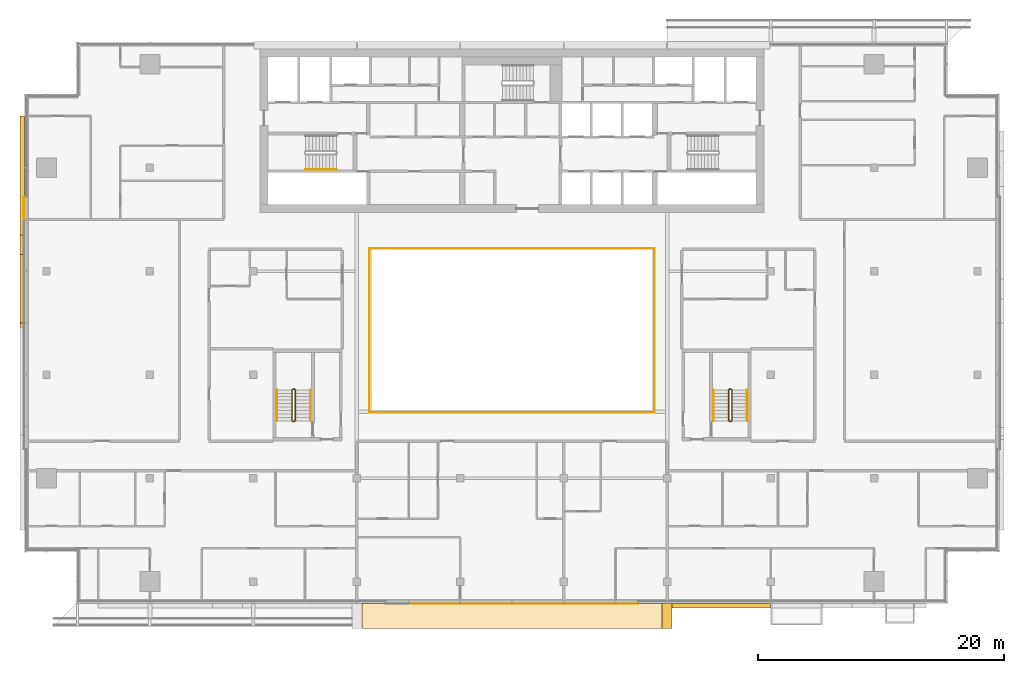
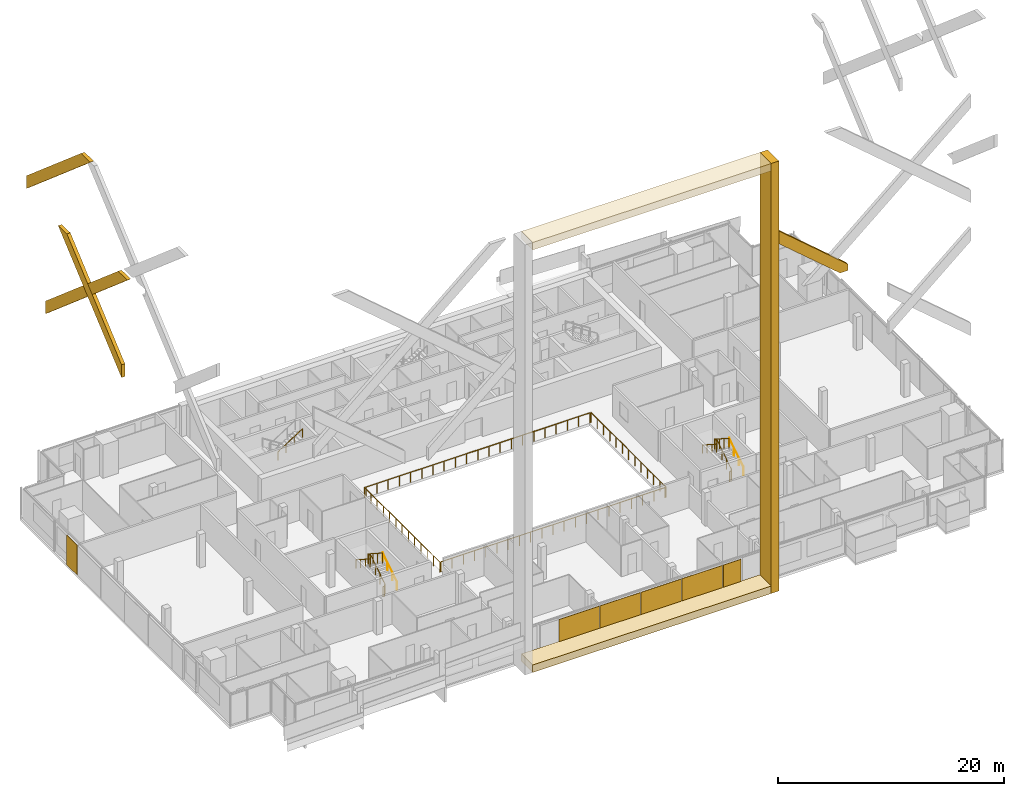
# One storey, part 28 of 31: 13 coverings, 11 railings.
"""IFC4 building model written with IfcOpenShell, lengths in metres."""

import ifcopenshell
import ifcopenshell.guid

model = None  # the IFC model being written
_history = None  # IfcOwnerHistory: only IFC2X3 demands one
_inside = {}  # id of a spatial element -> (the spatial element, [elements in it])
_under = {}  # id of a project, library or spatial element -> (it, [spatial elements below it])
_declared = {}  # id of a project -> (the project, [libraries it declares])
_typed = {}  # id of a type object -> (the type object, [elements of that type])
_made_of = {}  # id of a material, layer set ... -> (it, [elements and type objects made of it])


def new_model(schema):
    """Start an empty IFC model of exactly this schema.

    Asked for "IFC4X3", IfcOpenShell would pick the latest addendum, in which some entities
    have other attributes; the version numbers below select the first issue.
    IFC2X3 requires an IfcOwnerHistory on every rooted entity: one is made here for all.
    """
    global model, _history
    if schema == "IFC4X3":
        model = ifcopenshell.file(schema_version=(4, 3, 0, 0))
    else:
        model = ifcopenshell.file(schema=schema)
    _inside.clear()
    _under.clear()
    _declared.clear()
    _typed.clear()
    _made_of.clear()
    _history = None
    if model.schema == "IFC2X3":
        org = make("IfcOrganization", Name="unknown")
        user = make(
            "IfcPersonAndOrganization",
            ThePerson=make("IfcPerson", FamilyName="unknown"),
            TheOrganization=org,
        )
        app = make(
            "IfcApplication",
            ApplicationDeveloper=org,
            Version="unknown",
            ApplicationFullName="unknown",
            ApplicationIdentifier="unknown",
        )
        _history = make(
            "IfcOwnerHistory",
            OwningUser=user,
            OwningApplication=app,
            ChangeAction="ADDED",
            CreationDate=0,
        )
    return model


def make(cls, **values):
    """One entity of the class cls with the attributes given. An attribute that is None is left unset."""
    return model.create_entity(
        cls, **{name: value for name, value in values.items() if value is not None}
    )


def rooted(cls, **values):
    """An entity with a GlobalId (a new one), such as an element, a storey or a relation."""
    return make(cls, GlobalId=ifcopenshell.guid.new(), OwnerHistory=_history, **values)


def si_unit(unit_type, name, prefix=None):
    """IfcSIUnit, for example si_unit("LENGTHUNIT", "METRE", prefix="MILLI")."""
    return make("IfcSIUnit", UnitType=unit_type, Prefix=prefix, Name=name)


def assignment(units):
    """IfcUnitAssignment: the units of a project."""
    return None if units is None else make("IfcUnitAssignment", Units=units)


def point(xyz):
    """IfcCartesianPoint."""
    return None if xyz is None else make("IfcCartesianPoint", Coordinates=xyz)


def direction(xyz):
    """IfcDirection."""
    return None if xyz is None else make("IfcDirection", DirectionRatios=xyz)


def frame(location, z_axis=None, x_axis=None):
    """IfcAxis2Placement3D, a coordinate frame: its origin and axes. An axis left out is left unset."""
    return make(
        "IfcAxis2Placement3D",
        Location=point(location),
        Axis=direction(z_axis),
        RefDirection=direction(x_axis),
    )


def frame_2d(location, x_axis=None):
    """IfcAxis2Placement2D, a coordinate frame in the plane: its origin and x axis."""
    return make(
        "IfcAxis2Placement2D", Location=point(location), RefDirection=direction(x_axis)
    )


def origin():
    """The frame at (0, 0, 0) with its axes left unset."""
    return frame((0.0, 0.0, 0.0))


def origin_2d():
    """The frame at (0, 0) in the plane with its x axis left unset."""
    return frame_2d((0.0, 0.0))


def place(relative_to, where):
    """IfcLocalPlacement: puts the frame where relative to a parent placement (None: the world)."""
    return make(
        "IfcLocalPlacement", PlacementRelTo=relative_to, RelativePlacement=where
    )


def context(
    kind, dimensions, precision=None, world=None, true_north=None, identifier=None
):
    """IfcGeometricRepresentationContext, for example the 3D "Model" context."""
    return make(
        "IfcGeometricRepresentationContext",
        ContextIdentifier=identifier,
        ContextType=kind,
        CoordinateSpaceDimension=dimensions,
        Precision=precision,
        WorldCoordinateSystem=world,
        TrueNorth=true_north,
    )


def subcontext(parent, identifier, kind, view, scale=None):
    """IfcGeometricRepresentationSubContext, for example "Body" below "Model"."""
    return make(
        "IfcGeometricRepresentationSubContext",
        ContextIdentifier=identifier,
        ContextType=kind,
        ParentContext=parent,
        TargetScale=scale,
        TargetView=view,
    )


def project(units=None, contexts=None):
    """IfcProject with its units and contexts."""
    return rooted(
        "IfcProject",
        Name="project",
        RepresentationContexts=contexts,
        UnitsInContext=assignment(units),
    )


def spatial(cls, under=None, at=None, **own):
    """A site, building, storey or space (cls), placed at a placement, below another one or the project."""
    s = rooted(cls, ObjectPlacement=at, **own)
    if under is not None:
        _under.setdefault(under.id(), (under, []))[1].append(s)
    return s


def polyline(points):
    """IfcPolyline through the points."""
    return make("IfcPolyline", Points=[point(p) for p in points])


def profile(cls, at=None, kind="AREA", **sizes):
    """A parametric profile (cls). Its sizes go by their IFC names, for example OverallWidth=200.0."""
    return make(cls, ProfileType=kind, Position=at, **sizes)


def circle(**sizes):
    """IfcCircleProfileDef."""
    return profile("IfcCircleProfileDef", **sizes)


def outline(outer, holes=None, kind="AREA"):
    """IfcArbitraryClosedProfileDef: a profile drawn as a closed curve; with holes, ...WithVoids."""
    if holes is None:
        return make("IfcArbitraryClosedProfileDef", ProfileType=kind, OuterCurve=outer)
    return make(
        "IfcArbitraryProfileDefWithVoids",
        ProfileType=kind,
        OuterCurve=outer,
        InnerCurves=holes,
    )


def extrude(swept, where, along, depth):
    """IfcExtrudedAreaSolid: the profile swept, set in the frame where, extruded along a direction by depth."""
    return make(
        "IfcExtrudedAreaSolid",
        SweptArea=swept,
        Position=where,
        ExtrudedDirection=direction(along),
        Depth=depth,
    )


def shape(context_of_items, identifier, shape_type, items):
    """IfcShapeRepresentation: the items that make up one representation, for example the "Body"."""
    return make(
        "IfcShapeRepresentation",
        ContextOfItems=context_of_items,
        RepresentationIdentifier=identifier,
        RepresentationType=shape_type,
        Items=items,
    )


def material(Name=None, Category=None):
    """IfcMaterial."""
    return make("IfcMaterial", Name=Name, Category=Category)


def layer(
    of_material, thickness, ventilated=None, Name=None, Category=None, Priority=None
):
    """IfcMaterialLayer: one layer of a wall or slab, of a material (None: an air gap)."""
    return make(
        "IfcMaterialLayer",
        Material=of_material,
        LayerThickness=thickness,
        IsVentilated=ventilated,
        Name=Name,
        Category=Category,
        Priority=Priority,
    )


def layer_set(layers, Name=None):
    """IfcMaterialLayerSet."""
    return make("IfcMaterialLayerSet", MaterialLayers=layers, LayerSetName=Name)


def made_of(thing, what):
    """Note that an element or type object is made of a material, layer set ...; save() writes the relation."""
    if what is not None:
        _made_of.setdefault(what.id(), (what, []))[1].append(thing)
    return thing


def type_object(cls, material=None, **own):
    """A type object (cls), such as IfcWallType, which elements share."""
    return made_of(rooted(cls, **own), material)


def element(
    cls,
    number,
    at=None,
    inside=None,
    cuts=None,
    type_object=None,
    material=None,
    context=None,
    identifier="Body",
    shape_type=None,
    held_by="IfcProductDefinitionShape",
    body=None,
    shapes=None,
    **own,
):
    """One element of the class cls, such as IfcWall. Its Tag is "e" and its number.

    at: its placement. inside: the storey or other place that contains it. cuts: it is an
    opening in that element (IfcRelVoidsElement). A single representation is given by context,
    identifier, shape_type and body (its items); several are given by shapes. held_by: the class
    of the entity that holds the representations. save() writes the other relations.
    """
    e = rooted(cls, Tag="e%d" % number, ObjectPlacement=at, **own)
    if body is not None:
        shapes = [shape(context, identifier, shape_type, body)]
    if shapes is not None:
        e.Representation = make(held_by, Representations=shapes)
    if inside is not None:
        _inside.setdefault(inside.id(), (inside, []))[1].append(e)
    if cuts is not None:
        rooted(
            "IfcRelVoidsElement", RelatingBuildingElement=cuts, RelatedOpeningElement=e
        )
    if type_object is not None:
        _typed.setdefault(type_object.id(), (type_object, []))[1].append(e)
    return made_of(e, material)


def aggregate(whole, parts):
    """IfcRelAggregates: a whole, such as a stair, and the parts it consists of."""
    return rooted("IfcRelAggregates", RelatingObject=whole, RelatedObjects=parts)


def save(model, path):
    """Write the relations noted so far, then the file.

    IfcRelAggregates (storeys below a building ...), IfcRelContainedInSpatialStructure (elements
    in a storey), IfcRelDefinesByType, IfcRelAssociatesMaterial and IfcRelDeclares: one each for
    every whole, place, type object, material and project.
    """
    for whole, parts in _under.values():
        aggregate(whole, parts)
    for where, things in _inside.values():
        rooted(
            "IfcRelContainedInSpatialStructure",
            RelatedElements=things,
            RelatingStructure=where,
        )
    for kind, things in _typed.values():
        rooted("IfcRelDefinesByType", RelatedObjects=things, RelatingType=kind)
    for what, things in _made_of.values():
        rooted("IfcRelAssociatesMaterial", RelatedObjects=things, RelatingMaterial=what)
    for by, libraries in _declared.values():
        rooted("IfcRelDeclares", RelatingContext=by, RelatedDefinitions=libraries)
    model.write(path)


model = new_model("IFC4")

# Units and contexts
model_context = context("Model", 3, precision=1e-05, world=origin(), true_north=direction((0.0, 1.0)))
body_context = subcontext(model_context, "Body", "Model", "MODEL_VIEW")
ifc_project = project(units=[si_unit("LENGTHUNIT", "METRE"), si_unit("AREAUNIT", "SQUARE_METRE"), si_unit("VOLUMEUNIT", "CUBIC_METRE"), si_unit("PLANEANGLEUNIT", "RADIAN"), si_unit("MASSUNIT", "GRAM", prefix="KILO")], contexts=[model_context])

# Site, building, storey
site_placement = place(None, origin())
site = spatial("IfcSite", under=ifc_project, at=site_placement, CompositionType="ELEMENT")
building_placement = place(site_placement, origin())
building = spatial("IfcBuilding", under=site, at=building_placement, Name="Saffron Gate Tower", CompositionType="ELEMENT")
storey_placement = place(building_placement, frame((0.0, 0.0, 205.5)))
storey = spatial("IfcBuildingStorey", under=building, at=storey_placement, Name="L49", CompositionType="ELEMENT", Elevation=205.5)

# Railings
ifc_material_1 = material(Name="Stainless steel and laminated glass", Category="steel")
railing_type_1 = type_object("IfcRailingType", Name="AG1 Atrium edge guard 1100", PredefinedType="GUARDRAIL", material=ifc_material_1)
railing_1_placement = place(storey_placement, frame((76.02001953125, 45.5400390625, 0.0)))
element("IfcRailing", 1, at=railing_1_placement, inside=storey, type_object=railing_type_1, Name="Guard D1-1", PredefinedType="GUARDRAIL", context=body_context, shape_type="SweptSolid", body=[
    extrude(circle(Radius=0.02392578125, at=origin_2d()), frame((0.0, 0.0, 1.076171875), z_axis=(0.0, 1.0, 0.0), x_axis=(-1.0, 0.0, 0.0)), (0.0, 0.0, 1.0), 13.320068359375),
    extrude(circle(Radius=0.02099609375, at=origin_2d()), origin(), (0.0, 0.0, 1.0), 1.052001953125),
    extrude(circle(Radius=0.02099609375, at=origin_2d()), frame((0.0, 1.110107421875, 0.0)), (0.0, 0.0, 1.0), 1.052001953125),
    extrude(circle(Radius=0.02099609375, at=origin_2d()), frame((0.0, 2.219970703125, 0.0)), (0.0, 0.0, 1.0), 1.052001953125),
    extrude(circle(Radius=0.02099609375, at=origin_2d()), frame((0.0, 3.330078125, 0.0)), (0.0, 0.0, 1.0), 1.052001953125),
    extrude(circle(Radius=0.02099609375, at=origin_2d()), frame((0.0, 4.43994140625, 0.0)), (0.0, 0.0, 1.0), 1.052001953125),
    extrude(circle(Radius=0.02099609375, at=origin_2d()), frame((0.0, 5.550048828125, 0.0)), (0.0, 0.0, 1.0), 1.052001953125),
    extrude(circle(Radius=0.02099609375, at=origin_2d()), frame((0.0, 6.66015625, 0.0)), (0.0, 0.0, 1.0), 1.052001953125),
    extrude(circle(Radius=0.02099609375, at=origin_2d()), frame((0.0, 7.77001953125, 0.0)), (0.0, 0.0, 1.0), 1.052001953125),
    extrude(circle(Radius=0.02099609375, at=origin_2d()), frame((0.0, 8.880126953125, 0.0)), (0.0, 0.0, 1.0), 1.052001953125),
    extrude(circle(Radius=0.02099609375, at=origin_2d()), frame((0.0, 9.989990234375, 0.0)), (0.0, 0.0, 1.0), 1.052001953125),
    extrude(circle(Radius=0.02099609375, at=origin_2d()), frame((0.0, 11.10009765625, 0.0)), (0.0, 0.0, 1.0), 1.052001953125),
    extrude(circle(Radius=0.02099609375, at=origin_2d()), frame((0.0, 12.2099609375, 0.0)), (0.0, 0.0, 1.0), 1.052001953125),
    extrude(circle(Radius=0.02099609375, at=origin_2d()), frame((0.0, 13.320068359375, 0.0)), (0.0, 0.0, 1.0), 1.052001953125),
])
railing_2_placement = place(storey_placement, frame((76.139892578125, 58.860107421875, 0.0)))
element("IfcRailing", 2, at=railing_2_placement, inside=storey, type_object=railing_type_1, Name="Guard D1-2", PredefinedType="GUARDRAIL", context=body_context, shape_type="SweptSolid", body=[
    extrude(circle(Radius=0.02392578125, at=origin_2d()), frame((0.0, 0.0, 1.076171875), z_axis=(1.0, 0.0, 0.0), x_axis=(0.0, 1.0, 0.0)), (0.0, 0.0, 1.0), 22.920166015625),
    extrude(circle(Radius=0.02099609375, at=origin_2d()), origin(), (0.0, 0.0, 1.0), 1.052001953125),
    extrude(circle(Radius=0.02099609375, at=origin_2d()), frame((1.14599609375, 0.0, 0.0)), (0.0, 0.0, 1.0), 1.052001953125),
    extrude(circle(Radius=0.02099609375, at=origin_2d()), frame((2.2919921875, 0.0, 0.0)), (0.0, 0.0, 1.0), 1.052001953125),
    extrude(circle(Radius=0.02099609375, at=origin_2d()), frame((3.43798828125, 0.0, 0.0)), (0.0, 0.0, 1.0), 1.052001953125),
    extrude(circle(Radius=0.02099609375, at=origin_2d()), frame((4.583984375, 0.0, 0.0)), (0.0, 0.0, 1.0), 1.052001953125),
    extrude(circle(Radius=0.02099609375, at=origin_2d()), frame((5.72998046875, 0.0, 0.0)), (0.0, 0.0, 1.0), 1.052001953125),
    extrude(circle(Radius=0.02099609375, at=origin_2d()), frame((6.8759765625, 0.0, 0.0)), (0.0, 0.0, 1.0), 1.052001953125),
    extrude(circle(Radius=0.02099609375, at=origin_2d()), frame((8.02197265625, 0.0, 0.0)), (0.0, 0.0, 1.0), 1.052001953125),
    extrude(circle(Radius=0.02099609375, at=origin_2d()), frame((9.16796875, 0.0, 0.0)), (0.0, 0.0, 1.0), 1.052001953125),
    extrude(circle(Radius=0.02099609375, at=origin_2d()), frame((10.31396484375, 0.0, 0.0)), (0.0, 0.0, 1.0), 1.052001953125),
    extrude(circle(Radius=0.02099609375, at=origin_2d()), frame((11.4599609375, 0.0, 0.0)), (0.0, 0.0, 1.0), 1.052001953125),
    extrude(circle(Radius=0.02099609375, at=origin_2d()), frame((12.606201171875, 0.0, 0.0)), (0.0, 0.0, 1.0), 1.052001953125),
    extrude(circle(Radius=0.02099609375, at=origin_2d()), frame((13.752197265625, 0.0, 0.0)), (0.0, 0.0, 1.0), 1.052001953125),
    extrude(circle(Radius=0.02099609375, at=origin_2d()), frame((14.898193359375, 0.0, 0.0)), (0.0, 0.0, 1.0), 1.052001953125),
    extrude(circle(Radius=0.02099609375, at=origin_2d()), frame((16.044189453125, 0.0, 0.0)), (0.0, 0.0, 1.0), 1.052001953125),
    extrude(circle(Radius=0.02099609375, at=origin_2d()), frame((17.190185546875, 0.0, 0.0)), (0.0, 0.0, 1.0), 1.052001953125),
    extrude(circle(Radius=0.02099609375, at=origin_2d()), frame((18.336181640625, 0.0, 0.0)), (0.0, 0.0, 1.0), 1.052001953125),
    extrude(circle(Radius=0.02099609375, at=origin_2d()), frame((19.482177734375, 0.0, 0.0)), (0.0, 0.0, 1.0), 1.052001953125),
    extrude(circle(Radius=0.02099609375, at=origin_2d()), frame((20.628173828125, 0.0, 0.0)), (0.0, 0.0, 1.0), 1.052001953125),
    extrude(circle(Radius=0.02099609375, at=origin_2d()), frame((21.774169921875, 0.0, 0.0)), (0.0, 0.0, 1.0), 1.052001953125),
    extrude(circle(Radius=0.02099609375, at=origin_2d()), frame((22.920166015625, 0.0, 0.0)), (0.0, 0.0, 1.0), 1.052001953125),
])
railing_3_placement = place(storey_placement, frame((99.179931640625, 58.860107421875, 0.0)))
element("IfcRailing", 3, at=railing_3_placement, inside=storey, type_object=railing_type_1, Name="Guard D1-3", PredefinedType="GUARDRAIL", context=body_context, shape_type="SweptSolid", body=[
    extrude(circle(Radius=0.02392578125, at=origin_2d()), frame((0.0, 0.0, 1.076171875), z_axis=(0.0, -1.0, 0.0), x_axis=(1.0, 0.0, 0.0)), (0.0, 0.0, 1.0), 13.320068359375),
    extrude(circle(Radius=0.02099609375, at=origin_2d()), origin(), (0.0, 0.0, 1.0), 1.052001953125),
    extrude(circle(Radius=0.02099609375, at=origin_2d()), frame((0.0, -1.110107421875, 0.0)), (0.0, 0.0, 1.0), 1.052001953125),
    extrude(circle(Radius=0.02099609375, at=origin_2d()), frame((0.0, -2.219970703125, 0.0)), (0.0, 0.0, 1.0), 1.052001953125),
    extrude(circle(Radius=0.02099609375, at=origin_2d()), frame((0.0, -3.330078125, 0.0)), (0.0, 0.0, 1.0), 1.052001953125),
    extrude(circle(Radius=0.02099609375, at=origin_2d()), frame((0.0, -4.43994140625, 0.0)), (0.0, 0.0, 1.0), 1.052001953125),
    extrude(circle(Radius=0.02099609375, at=origin_2d()), frame((0.0, -5.550048828125, 0.0)), (0.0, 0.0, 1.0), 1.052001953125),
    extrude(circle(Radius=0.02099609375, at=origin_2d()), frame((0.0, -6.66015625, 0.0)), (0.0, 0.0, 1.0), 1.052001953125),
    extrude(circle(Radius=0.02099609375, at=origin_2d()), frame((0.0, -7.77001953125, 0.0)), (0.0, 0.0, 1.0), 1.052001953125),
    extrude(circle(Radius=0.02099609375, at=origin_2d()), frame((0.0, -8.880126953125, 0.0)), (0.0, 0.0, 1.0), 1.052001953125),
    extrude(circle(Radius=0.02099609375, at=origin_2d()), frame((0.0, -9.989990234375, 0.0)), (0.0, 0.0, 1.0), 1.052001953125),
    extrude(circle(Radius=0.02099609375, at=origin_2d()), frame((0.0, -11.10009765625, 0.0)), (0.0, 0.0, 1.0), 1.052001953125),
    extrude(circle(Radius=0.02099609375, at=origin_2d()), frame((0.0, -12.2099609375, 0.0)), (0.0, 0.0, 1.0), 1.052001953125),
    extrude(circle(Radius=0.02099609375, at=origin_2d()), frame((0.0, -13.320068359375, 0.0)), (0.0, 0.0, 1.0), 1.052001953125),
])
railing_4_placement = place(storey_placement, frame((99.06005859375, 45.5400390625, 0.0)))
element("IfcRailing", 4, at=railing_4_placement, inside=storey, type_object=railing_type_1, Name="Guard D1-4", PredefinedType="GUARDRAIL", context=body_context, shape_type="SweptSolid", body=[
    extrude(circle(Radius=0.02392578125, at=origin_2d()), frame((0.0, 0.0, 1.076171875), z_axis=(-1.0, 0.0, 0.0), x_axis=(0.0, -1.0, 0.0)), (0.0, 0.0, 1.0), 22.920166015625),
    extrude(circle(Radius=0.02099609375, at=origin_2d()), origin(), (0.0, 0.0, 1.0), 1.052001953125),
    extrude(circle(Radius=0.02099609375, at=origin_2d()), frame((-1.14599609375, 0.0, 0.0)), (0.0, 0.0, 1.0), 1.052001953125),
    extrude(circle(Radius=0.02099609375, at=origin_2d()), frame((-2.2919921875, 0.0, 0.0)), (0.0, 0.0, 1.0), 1.052001953125),
    extrude(circle(Radius=0.02099609375, at=origin_2d()), frame((-3.43798828125, 0.0, 0.0)), (0.0, 0.0, 1.0), 1.052001953125),
    extrude(circle(Radius=0.02099609375, at=origin_2d()), frame((-4.583984375, 0.0, 0.0)), (0.0, 0.0, 1.0), 1.052001953125),
    extrude(circle(Radius=0.02099609375, at=origin_2d()), frame((-5.72998046875, 0.0, 0.0)), (0.0, 0.0, 1.0), 1.052001953125),
    extrude(circle(Radius=0.02099609375, at=origin_2d()), frame((-6.8759765625, 0.0, 0.0)), (0.0, 0.0, 1.0), 1.052001953125),
    extrude(circle(Radius=0.02099609375, at=origin_2d()), frame((-8.02197265625, 0.0, 0.0)), (0.0, 0.0, 1.0), 1.052001953125),
    extrude(circle(Radius=0.02099609375, at=origin_2d()), frame((-9.16796875, 0.0, 0.0)), (0.0, 0.0, 1.0), 1.052001953125),
    extrude(circle(Radius=0.02099609375, at=origin_2d()), frame((-10.31396484375, 0.0, 0.0)), (0.0, 0.0, 1.0), 1.052001953125),
    extrude(circle(Radius=0.02099609375, at=origin_2d()), frame((-11.4599609375, 0.0, 0.0)), (0.0, 0.0, 1.0), 1.052001953125),
    extrude(circle(Radius=0.02099609375, at=origin_2d()), frame((-12.606201171875, 0.0, 0.0)), (0.0, 0.0, 1.0), 1.052001953125),
    extrude(circle(Radius=0.02099609375, at=origin_2d()), frame((-13.752197265625, 0.0, 0.0)), (0.0, 0.0, 1.0), 1.052001953125),
    extrude(circle(Radius=0.02099609375, at=origin_2d()), frame((-14.898193359375, 0.0, 0.0)), (0.0, 0.0, 1.0), 1.052001953125),
    extrude(circle(Radius=0.02099609375, at=origin_2d()), frame((-16.044189453125, 0.0, 0.0)), (0.0, 0.0, 1.0), 1.052001953125),
    extrude(circle(Radius=0.02099609375, at=origin_2d()), frame((-17.190185546875, 0.0, 0.0)), (0.0, 0.0, 1.0), 1.052001953125),
    extrude(circle(Radius=0.02099609375, at=origin_2d()), frame((-18.336181640625, 0.0, 0.0)), (0.0, 0.0, 1.0), 1.052001953125),
    extrude(circle(Radius=0.02099609375, at=origin_2d()), frame((-19.482177734375, 0.0, 0.0)), (0.0, 0.0, 1.0), 1.052001953125),
    extrude(circle(Radius=0.02099609375, at=origin_2d()), frame((-20.628173828125, 0.0, 0.0)), (0.0, 0.0, 1.0), 1.052001953125),
    extrude(circle(Radius=0.02099609375, at=origin_2d()), frame((-21.774169921875, 0.0, 0.0)), (0.0, 0.0, 1.0), 1.052001953125),
    extrude(circle(Radius=0.02099609375, at=origin_2d()), frame((-22.920166015625, 0.0, 0.0)), (0.0, 0.0, 1.0), 1.052001953125),
])

# Coverings
ifc_material_2 = material(Name="Ceramic-printed bronze insulated panel")
ifc_layer_1 = layer(ifc_material_2, 0.0400390625)
ifc_layer_set_1 = layer_set([ifc_layer_1], Name="CLDA ceramic-printed bay cladding 40")
covering_type_1 = type_object("IfcCoveringType", Name="CLDA ceramic-printed bay cladding 40", PredefinedType="CLADDING", material=ifc_layer_set_1)
covering_1_placement = place(storey_placement, origin())
element("IfcCovering", 5, at=covering_1_placement, inside=storey, type_object=covering_type_1, Name="CLADDING bay panel in front of the arch", PredefinedType="CLADDING", context=body_context, shape_type="SweptSolid", body=[
    extrude(outline(polyline([(79.22998046875, 29.9599609375), (83.3701171875, 29.9599609375), (83.3701171875, 30.0), (79.22998046875, 30.0), (79.22998046875, 29.9599609375)])), origin(), (0.0, 0.0, 1.0), 3.199951171875),
])
covering_2_placement = place(storey_placement, origin())
element("IfcCovering", 6, at=covering_2_placement, inside=storey, type_object=covering_type_1, Name="CLADDING bay panel in front of the arch", PredefinedType="CLADDING", context=body_context, shape_type="SweptSolid", body=[
    extrude(outline(polyline([(83.429931640625, 29.9599609375), (87.570068359375, 29.9599609375), (87.570068359375, 30.0), (83.429931640625, 30.0), (83.429931640625, 29.9599609375)])), origin(), (0.0, 0.0, 1.0), 3.199951171875),
])
covering_3_placement = place(storey_placement, origin())
element("IfcCovering", 7, at=covering_3_placement, inside=storey, type_object=covering_type_1, Name="CLADDING bay panel in front of the arch", PredefinedType="CLADDING", context=body_context, shape_type="SweptSolid", body=[
    extrude(outline(polyline([(87.6298828125, 29.9599609375), (91.77001953125, 29.9599609375), (91.77001953125, 30.0), (87.6298828125, 30.0), (87.6298828125, 29.9599609375)])), origin(), (0.0, 0.0, 1.0), 3.199951171875),
])
covering_4_placement = place(storey_placement, origin())
element("IfcCovering", 8, at=covering_4_placement, inside=storey, type_object=covering_type_1, Name="CLADDING bay panel in front of the arch", PredefinedType="CLADDING", context=body_context, shape_type="SweptSolid", body=[
    extrude(outline(polyline([(91.830078125, 29.9599609375), (95.969970703125, 29.9599609375), (95.969970703125, 30.0), (91.830078125, 30.0), (91.830078125, 29.9599609375)])), origin(), (0.0, 0.0, 1.0), 3.199951171875),
])
covering_5_placement = place(storey_placement, origin())
element("IfcCovering", 9, at=covering_5_placement, inside=storey, type_object=covering_type_1, Name="CLADDING bay panel in front of the arch", PredefinedType="CLADDING", context=body_context, shape_type="SweptSolid", body=[
    extrude(outline(polyline([(96.030029296875, 29.9599609375), (97.84912109375, 29.9599609375), (97.84912109375, 30.0), (96.030029296875, 30.0), (96.030029296875, 29.9599609375)])), origin(), (0.0, 0.0, 1.0), 3.199951171875),
])
covering_6_placement = place(storey_placement, origin())
element("IfcCovering", 10, at=covering_6_placement, inside=storey, type_object=covering_type_1, Name="CLADDING bay panel in front of the arch", PredefinedType="CLADDING", context=body_context, shape_type="SweptSolid", body=[
    extrude(outline(polyline([(47.9599609375, 63.04931640625), (47.9599609375, 61.22998046875), (48.0, 61.22998046875), (48.0, 63.04931640625), (47.9599609375, 63.04931640625)])), origin(), (0.0, 0.0, 1.0), 3.199951171875),
])

# Railings
railing_type_2 = type_object("IfcRailingType", Name="CR1 Stair guard 1100", PredefinedType="GUARDRAIL", material=ifc_material_1)
railing_5_placement = place(storey_placement, frame((69.800048828125, 44.800048828125, 0.0)))
element("IfcRailing", 11, at=railing_5_placement, inside=storey, type_object=railing_type_2, Name="L49 ST-D stair guard 1", PredefinedType="GUARDRAIL", context=body_context, shape_type="SweptSolid", body=[
    extrude(circle(Radius=0.02392578125, at=origin_2d()), frame((0.0, 0.0, 1.076171875), z_axis=(1.0, 0.0, 0.0), x_axis=(0.0, 1.0, 0.0)), (0.0, 0.0, 1.0), 0.14990234375),
    extrude(circle(Radius=0.02392578125, at=origin_2d()), frame((0.14990234375, 0.0, 1.076171875), z_axis=(0.258847668887, 0.258847668887, 0.930588936439), x_axis=(-0.707106781187, 0.707106781187, 0.0)), (0.0, 0.0, 1.0), 0.193359375),
    extrude(circle(Radius=0.02392578125, at=origin_2d()), frame((0.199951171875, 0.050048828125, 1.255859375), z_axis=(0.0, 0.841162588446, 0.540782303519), x_axis=(-1.0, 0.0, 0.0)), (0.0, 0.0, 1.0), 2.995849609375),
    extrude(circle(Radius=0.02392578125, at=origin_2d()), frame((0.199951171875, 2.570068359375, 2.8759765625), z_axis=(-0.708833529934, 0.705375805398, 0.0), x_axis=(-0.705375805398, -0.708833529934, 0.0)), (0.0, 0.0, 1.0), 0.070556640625),
    extrude(circle(Radius=0.02392578125, at=origin_2d()), frame((0.14990234375, 2.619873046875, 2.8759765625), z_axis=(-1.0, 0.0, 0.0), x_axis=(0.0, -1.0, 0.0)), (0.0, 0.0, 1.0), 0.14990234375),
    extrude(circle(Radius=0.02392578125, at=origin_2d()), frame((0.0, 2.619873046875, 2.8759765625), z_axis=(-0.258932105505, -0.257669022063, 0.930892496375), x_axis=(0.705375805398, -0.708833529934, 0.0)), (0.0, 0.0, 1.0), 0.193359375),
    extrude(circle(Radius=0.02392578125, at=origin_2d()), frame((-0.050048828125, 2.570068359375, 3.05615234375), z_axis=(0.0, -0.841162588446, 0.540782303519), x_axis=(1.0, 0.0, 0.0)), (0.0, 0.0, 1.0), 2.995849609375),
    extrude(circle(Radius=0.02099609375, at=origin_2d()), origin(), (0.0, 0.0, 1.0), 1.052001953125),
    extrude(circle(Radius=0.02099609375, at=origin_2d()), frame((0.14990234375, 0.0, 0.0)), (0.0, 0.0, 1.0), 1.052001953125),
    extrude(circle(Radius=0.02099609375, at=origin_2d()), frame((0.199951171875, 0.050048828125, 0.179931640625)), (0.0, 0.0, 1.0), 1.052001953125),
    extrude(circle(Radius=0.02099609375, at=origin_2d()), frame((0.199951171875, 0.89013671875, 0.719970703125)), (0.0, 0.0, 1.0), 1.052001953125),
    extrude(circle(Radius=0.02099609375, at=origin_2d()), frame((0.199951171875, 1.72998046875, 1.260009765625)), (0.0, 0.0, 1.0), 1.052001953125),
    extrude(circle(Radius=0.02099609375, at=origin_2d()), frame((0.199951171875, 2.570068359375, 1.800048828125)), (0.0, 0.0, 1.0), 1.052001953125),
    extrude(circle(Radius=0.02099609375, at=origin_2d()), frame((0.14990234375, 2.619873046875, 1.800048828125)), (0.0, 0.0, 1.0), 1.052001953125),
    extrude(circle(Radius=0.02099609375, at=origin_2d()), frame((0.0, 2.619873046875, 1.800048828125)), (0.0, 0.0, 1.0), 1.052001953125),
    extrude(circle(Radius=0.02099609375, at=origin_2d()), frame((-0.050048828125, 2.570068359375, 1.97998046875)), (0.0, 0.0, 1.0), 1.052001953125),
    extrude(circle(Radius=0.02099609375, at=origin_2d()), frame((-0.050048828125, 1.72998046875, 2.52001953125)), (0.0, 0.0, 1.0), 1.052001953125),
    extrude(circle(Radius=0.02099609375, at=origin_2d()), frame((-0.050048828125, 0.89013671875, 3.06005859375)), (0.0, 0.0, 1.0), 1.052001953125),
    extrude(circle(Radius=0.02099609375, at=origin_2d()), frame((-0.050048828125, 0.050048828125, 3.60009765625)), (0.0, 0.0, 1.0), 1.052001953125),
])
railing_6_placement = place(storey_placement, frame((105.25, 44.800048828125, 0.0)))
element("IfcRailing", 12, at=railing_6_placement, inside=storey, type_object=railing_type_2, Name="L49 ST-E stair guard 1", PredefinedType="GUARDRAIL", context=body_context, shape_type="SweptSolid", body=[
    extrude(circle(Radius=0.02392578125, at=origin_2d()), frame((0.0, 0.0, 1.076171875), z_axis=(1.0, 0.0, 0.0), x_axis=(0.0, 1.0, 0.0)), (0.0, 0.0, 1.0), 0.14990234375),
    extrude(circle(Radius=0.02392578125, at=origin_2d()), frame((0.14990234375, 0.0, 1.076171875), z_axis=(0.258847668887, 0.258847668887, 0.930588936439), x_axis=(-0.707106781187, 0.707106781187, 0.0)), (0.0, 0.0, 1.0), 0.193359375),
    extrude(circle(Radius=0.02392578125, at=origin_2d()), frame((0.199951171875, 0.050048828125, 1.255859375), z_axis=(0.0, 0.841162588446, 0.540782303519), x_axis=(-1.0, 0.0, 0.0)), (0.0, 0.0, 1.0), 2.995849609375),
    extrude(circle(Radius=0.02392578125, at=origin_2d()), frame((0.199951171875, 2.570068359375, 2.8759765625), z_axis=(-0.708833529934, 0.705375805398, 0.0), x_axis=(-0.705375805398, -0.708833529934, 0.0)), (0.0, 0.0, 1.0), 0.070556640625),
    extrude(circle(Radius=0.02392578125, at=origin_2d()), frame((0.14990234375, 2.619873046875, 2.8759765625), z_axis=(-1.0, 0.0, 0.0), x_axis=(0.0, -1.0, 0.0)), (0.0, 0.0, 1.0), 0.14990234375),
    extrude(circle(Radius=0.02392578125, at=origin_2d()), frame((0.0, 2.619873046875, 2.8759765625), z_axis=(-0.258932105505, -0.257669022063, 0.930892496375), x_axis=(0.705375805398, -0.708833529934, 0.0)), (0.0, 0.0, 1.0), 0.193359375),
    extrude(circle(Radius=0.02392578125, at=origin_2d()), frame((-0.050048828125, 2.570068359375, 3.05615234375), z_axis=(0.0, -0.841162588446, 0.540782303519), x_axis=(1.0, 0.0, 0.0)), (0.0, 0.0, 1.0), 2.995849609375),
    extrude(circle(Radius=0.02099609375, at=origin_2d()), origin(), (0.0, 0.0, 1.0), 1.052001953125),
    extrude(circle(Radius=0.02099609375, at=origin_2d()), frame((0.14990234375, 0.0, 0.0)), (0.0, 0.0, 1.0), 1.052001953125),
    extrude(circle(Radius=0.02099609375, at=origin_2d()), frame((0.199951171875, 0.050048828125, 0.179931640625)), (0.0, 0.0, 1.0), 1.052001953125),
    extrude(circle(Radius=0.02099609375, at=origin_2d()), frame((0.199951171875, 0.89013671875, 0.719970703125)), (0.0, 0.0, 1.0), 1.052001953125),
    extrude(circle(Radius=0.02099609375, at=origin_2d()), frame((0.199951171875, 1.72998046875, 1.260009765625)), (0.0, 0.0, 1.0), 1.052001953125),
    extrude(circle(Radius=0.02099609375, at=origin_2d()), frame((0.199951171875, 2.570068359375, 1.800048828125)), (0.0, 0.0, 1.0), 1.052001953125),
    extrude(circle(Radius=0.02099609375, at=origin_2d()), frame((0.14990234375, 2.619873046875, 1.800048828125)), (0.0, 0.0, 1.0), 1.052001953125),
    extrude(circle(Radius=0.02099609375, at=origin_2d()), frame((0.0, 2.619873046875, 1.800048828125)), (0.0, 0.0, 1.0), 1.052001953125),
    extrude(circle(Radius=0.02099609375, at=origin_2d()), frame((-0.050048828125, 2.570068359375, 1.97998046875)), (0.0, 0.0, 1.0), 1.052001953125),
    extrude(circle(Radius=0.02099609375, at=origin_2d()), frame((-0.050048828125, 1.72998046875, 2.52001953125)), (0.0, 0.0, 1.0), 1.052001953125),
    extrude(circle(Radius=0.02099609375, at=origin_2d()), frame((-0.050048828125, 0.89013671875, 3.06005859375)), (0.0, 0.0, 1.0), 1.052001953125),
    extrude(circle(Radius=0.02099609375, at=origin_2d()), frame((-0.050048828125, 0.050048828125, 3.60009765625)), (0.0, 0.0, 1.0), 1.052001953125),
])
ifc_material_3 = material(Name="Stainless steel", Category="steel")
railing_type_3 = type_object("IfcRailingType", Name="CR2 Stair handrail 900", PredefinedType="HANDRAIL", material=ifc_material_3)
railing_7_placement = place(storey_placement, frame((70.830078125, 65.25, 1.97998046875)))
element("IfcRailing", 13, at=railing_7_placement, inside=storey, type_object=railing_type_3, Name="L49 ST-A stair handrail 2", PredefinedType="HANDRAIL", context=body_context, shape_type="SweptSolid", body=[
    extrude(circle(Radius=0.02392578125, at=origin_2d()), frame((0.0, 0.0, 0.8759765625), z_axis=(0.841162588446, 0.0, 0.540782303519), x_axis=(0.0, 1.0, 0.0)), (0.0, 0.0, 1.0), 2.995849609375),
    extrude(circle(Radius=0.02099609375, at=origin_2d()), origin(), (0.0, 0.0, 1.0), 0.851806640625),
    extrude(circle(Radius=0.02099609375, at=origin_2d()), frame((0.840087890625, 0.0, 0.5400390625)), (0.0, 0.0, 1.0), 0.851806640625),
    extrude(circle(Radius=0.02099609375, at=origin_2d()), frame((1.679931640625, 0.0, 1.080078125)), (0.0, 0.0, 1.0), 0.851806640625),
    extrude(circle(Radius=0.02099609375, at=origin_2d()), frame((2.52001953125, 0.0, 1.6201171875)), (0.0, 0.0, 1.0), 0.851806640625),
])
railing_8_placement = place(storey_placement, frame((71.25, 44.85009765625, 0.179931640625)))
element("IfcRailing", 14, at=railing_8_placement, inside=storey, type_object=railing_type_3, Name="L49 ST-D stair handrail 1", PredefinedType="HANDRAIL", context=body_context, shape_type="SweptSolid", body=[
    extrude(circle(Radius=0.02392578125, at=origin_2d()), frame((0.0, 0.0, 0.8759765625), z_axis=(0.0, 0.841162588446, 0.540782303519), x_axis=(-1.0, 0.0, 0.0)), (0.0, 0.0, 1.0), 2.995849609375),
    extrude(circle(Radius=0.02099609375, at=origin_2d()), origin(), (0.0, 0.0, 1.0), 0.851806640625),
    extrude(circle(Radius=0.02099609375, at=origin_2d()), frame((0.0, 0.840087890625, 0.5400390625)), (0.0, 0.0, 1.0), 0.851806640625),
    extrude(circle(Radius=0.02099609375, at=origin_2d()), frame((0.0, 1.679931640625, 1.080078125)), (0.0, 0.0, 1.0), 0.851806640625),
    extrude(circle(Radius=0.02099609375, at=origin_2d()), frame((0.0, 2.52001953125, 1.6201171875)), (0.0, 0.0, 1.0), 0.851806640625),
])
railing_9_placement = place(storey_placement, frame((68.5, 47.3701171875, 1.97998046875)))
element("IfcRailing", 15, at=railing_9_placement, inside=storey, type_object=railing_type_3, Name="L49 ST-D stair handrail 2", PredefinedType="HANDRAIL", context=body_context, shape_type="SweptSolid", body=[
    extrude(circle(Radius=0.02392578125, at=origin_2d()), frame((0.0, 0.0, 0.8759765625), z_axis=(0.0, -0.841162588446, 0.540782303519), x_axis=(1.0, 0.0, 0.0)), (0.0, 0.0, 1.0), 2.995849609375),
    extrude(circle(Radius=0.02099609375, at=origin_2d()), origin(), (0.0, 0.0, 1.0), 0.851806640625),
    extrude(circle(Radius=0.02099609375, at=origin_2d()), frame((0.0, -0.840087890625, 0.5400390625)), (0.0, 0.0, 1.0), 0.851806640625),
    extrude(circle(Radius=0.02099609375, at=origin_2d()), frame((0.0, -1.679931640625, 1.080078125)), (0.0, 0.0, 1.0), 0.851806640625),
    extrude(circle(Radius=0.02099609375, at=origin_2d()), frame((0.0, -2.52001953125, 1.6201171875)), (0.0, 0.0, 1.0), 0.851806640625),
])
railing_10_placement = place(storey_placement, frame((106.699951171875, 44.85009765625, 0.179931640625)))
element("IfcRailing", 16, at=railing_10_placement, inside=storey, type_object=railing_type_3, Name="L49 ST-E stair handrail 1", PredefinedType="HANDRAIL", context=body_context, shape_type="SweptSolid", body=[
    extrude(circle(Radius=0.02392578125, at=origin_2d()), frame((0.0, 0.0, 0.8759765625), z_axis=(0.0, 0.841162588446, 0.540782303519), x_axis=(-1.0, 0.0, 0.0)), (0.0, 0.0, 1.0), 2.995849609375),
    extrude(circle(Radius=0.02099609375, at=origin_2d()), origin(), (0.0, 0.0, 1.0), 0.851806640625),
    extrude(circle(Radius=0.02099609375, at=origin_2d()), frame((0.0, 0.840087890625, 0.5400390625)), (0.0, 0.0, 1.0), 0.851806640625),
    extrude(circle(Radius=0.02099609375, at=origin_2d()), frame((0.0, 1.679931640625, 1.080078125)), (0.0, 0.0, 1.0), 0.851806640625),
    extrude(circle(Radius=0.02099609375, at=origin_2d()), frame((0.0, 2.52001953125, 1.6201171875)), (0.0, 0.0, 1.0), 0.851806640625),
])
railing_11_placement = place(storey_placement, frame((103.949951171875, 47.3701171875, 1.97998046875)))
element("IfcRailing", 17, at=railing_11_placement, inside=storey, type_object=railing_type_3, Name="L49 ST-E stair handrail 2", PredefinedType="HANDRAIL", context=body_context, shape_type="SweptSolid", body=[
    extrude(circle(Radius=0.02392578125, at=origin_2d()), frame((0.0, 0.0, 0.8759765625), z_axis=(0.0, -0.841162588446, 0.540782303519), x_axis=(1.0, 0.0, 0.0)), (0.0, 0.0, 1.0), 2.995849609375),
    extrude(circle(Radius=0.02099609375, at=origin_2d()), origin(), (0.0, 0.0, 1.0), 0.851806640625),
    extrude(circle(Radius=0.02099609375, at=origin_2d()), frame((0.0, -0.840087890625, 0.5400390625)), (0.0, 0.0, 1.0), 0.851806640625),
    extrude(circle(Radius=0.02099609375, at=origin_2d()), frame((0.0, -1.679931640625, 1.080078125)), (0.0, 0.0, 1.0), 0.851806640625),
    extrude(circle(Radius=0.02099609375, at=origin_2d()), frame((0.0, -2.52001953125, 1.6201171875)), (0.0, 0.0, 1.0), 0.851806640625),
])

# Coverings
ifc_layer_2 = layer(ifc_material_2, 0.800048828125)
ifc_layer_set_2 = layer_set([ifc_layer_2], Name="FN1 atrium fin")
covering_type_2 = type_object("IfcCoveringType", Name="FN1 atrium fin", PredefinedType="CLADDING", material=ifc_layer_set_2)
covering_7_placement = place(storey_placement, origin())
element("IfcCovering", 18, at=covering_7_placement, inside=storey, type_object=covering_type_2, Name="CLADDING atrium fin", PredefinedType="CLADDING", context=body_context, shape_type="SweptSolid", body=[
    extrude(outline(polyline([(99.800048828125, 30.0), (100.60009765625, 30.0), (100.60009765625, 28.0), (99.800048828125, 28.0), (99.800048828125, 30.0)])), origin(), (0.0, 0.0, 1.0), 46.5),
])
for number, where, name in (
    (19, (0.0, 0.0, 0.0), "CLADDING atrium lintel fin"),
    (20, (0.0, 0.0, 45.699951171875), "CLADDING atrium lintel fin"),
):
    element("IfcCovering", number, at=place(storey_placement, frame(where)), inside=storey, type_object=covering_type_2, Name=name, PredefinedType="CLADDING", context=body_context, shape_type="SweptSolid", body=[
        extrude(outline(polyline([(75.39990234375, 30.0), (99.800048828125, 30.0), (99.800048828125, 28.0), (75.39990234375, 28.0), (75.39990234375, 30.0)])), origin(), (0.0, 0.0, 1.0), 0.800048828125),
    ])
ifc_layer_3 = layer(ifc_material_2, 0.35009765625)
ifc_layer_set_3 = layer_set([ifc_layer_3], Name="LZ1 lozenge lattice bar 1600")
covering_type_3 = type_object("IfcCoveringType", Name="LZ1 lozenge lattice bar 1600", PredefinedType="CLADDING", material=ifc_layer_set_3)
covering_8_placement = place(storey_placement, frame((107.8115234375, 29.64990234375, 30.847412109375), z_axis=(0.0, -1.0, 0.0), x_axis=(0.999585751511, 0.0, 0.028780642381)))
element("IfcCovering", 21, at=covering_8_placement, inside=storey, type_object=covering_type_3, Name="CLADDING lozenge lattice bar", PredefinedType="CLADDING", context=body_context, shape_type="SweptSolid", body=[
    extrude(outline(polyline([(0.0, 0.0), (0.7889010198052955, 0.0), (0.7987803125757169, 0.34311952310173255), (0.8082661200010859, 0.6725728347570235), (-7.381181396548569, 8.111303049653953), (-7.420656408486142, 6.7402891941877145), (0.0, 0.0)])), origin(), (0.0, 0.0, -1.0), 0.35009765625),
])
covering_9_placement = place(storey_placement, frame((47.64990234375, 69.60009765625, 36.857177734375), z_axis=(-1.0, 0.0, 0.0), x_axis=(0.0, -0.759257765443, 0.65079001653)))
element("IfcCovering", 22, at=covering_9_placement, inside=storey, type_object=covering_type_3, Name="CLADDING lozenge lattice bar", PredefinedType="CLADDING", context=body_context, shape_type="SweptSolid", body=[
    extrude(outline(polyline([(0.0, 0.0), (14.817102322871136, -8.881784197001252e-16), (13.602401117561943, 1.041168695878846), (0.8924530085077806, 1.0411989425029375), (0.0, 0.0)])), origin(), (0.0, 0.0, -1.0), 0.35009765625),
])
covering_10_placement = place(storey_placement, frame((47.64990234375, 66.300048828125, 26.6572265625), z_axis=(-1.0, 0.0, 0.0), x_axis=(0.0, 0.0, -1.0)))
element("IfcCovering", 23, at=covering_10_placement, inside=storey, type_object=covering_type_3, Name="CLADDING lozenge lattice bar", PredefinedType="CLADDING", context=body_context, shape_type="SweptSolid", body=[
    extrude(outline(polyline([(0.0, 0.0), (1.37158203125, 0.0), (-11.094482421875, 14.5439453125), (-11.046875, 12.88818359375), (0.0, 0.0)])), origin(), (0.0, 0.0, -1.0), 0.35009765625),
])
covering_11_placement = place(storey_placement, frame((47.64990234375, 52.800048828125, 26.571533203125), z_axis=(-1.0, 0.0, 0.0), x_axis=(0.0, 0.0, 1.0)))
element("IfcCovering", 24, at=covering_11_placement, inside=storey, type_object=covering_type_3, Name="CLADDING lozenge lattice bar", PredefinedType="CLADDING", context=body_context, shape_type="SweptSolid", body=[
    extrude(outline(polyline([(0.0, 0.0), (1.371337890625, 0.0), (9.6708984375, 9.682861328125), (9.62646484375, 11.230712890625), (0.0, 0.0)])), origin(), (0.0, 0.0, -1.0), 0.35009765625),
])

save(model, "model.ifc")
